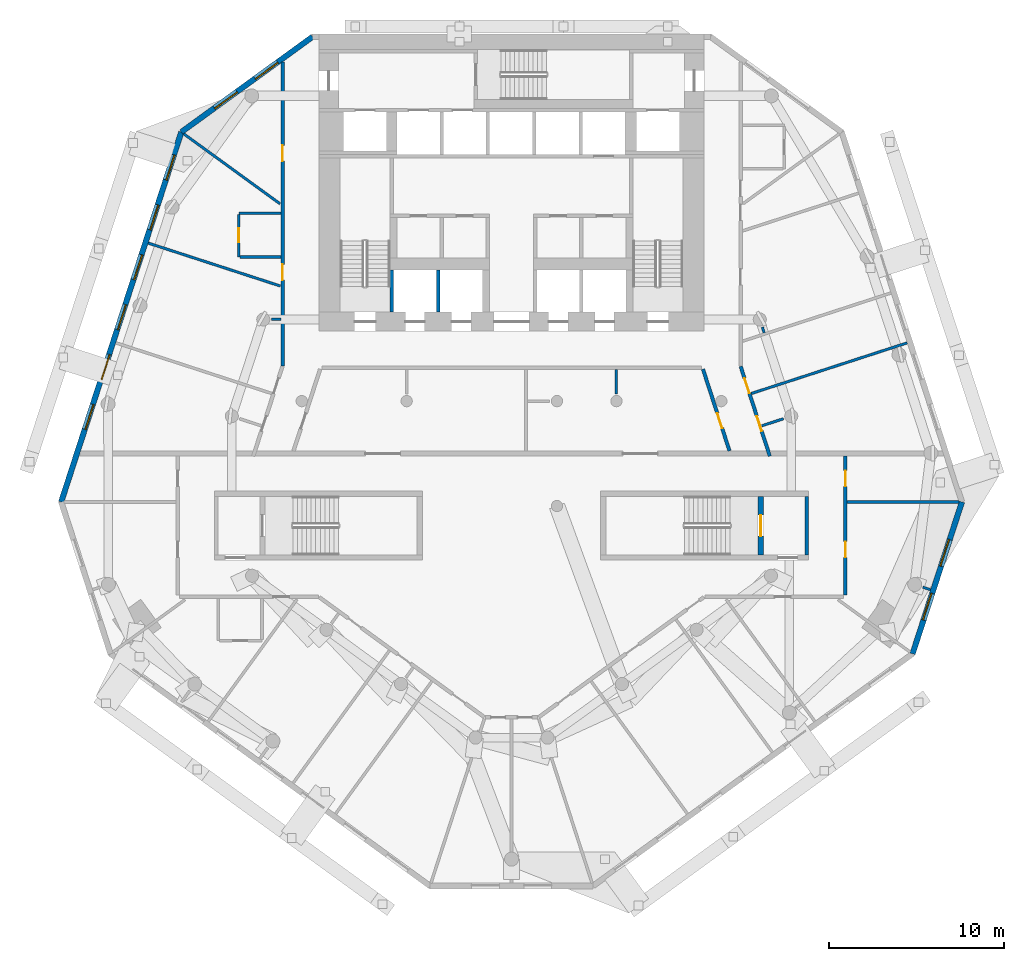
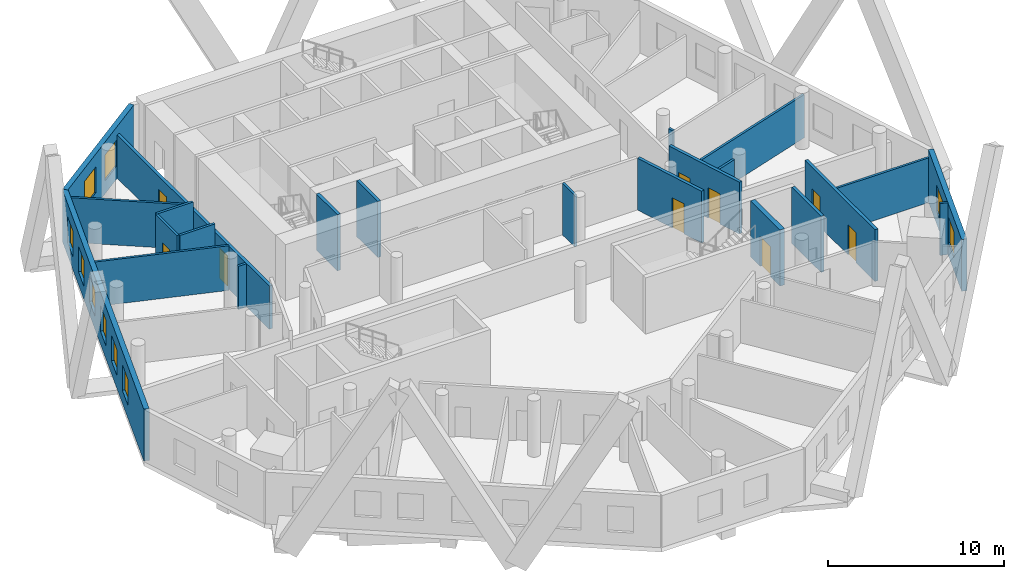
# One storey, part 6 of 11: 23 walls, 10 windows, 9 doors, 19 openings.
"""IFC4 building model written with IfcOpenShell, lengths in metres."""

from ifc_helpers import new_model, si_unit, direction, frame, frame_2d, origin, place, context, subcontext, project, spatial, rectangle, extrude, material, layer, layer_set, type_object, element, fill, save


model = new_model("IFC4")

# Units and contexts
model_context = context("Model", 3, precision=1e-05, world=origin(), true_north=direction((0.0, 1.0)))
body_context = subcontext(model_context, "Body", "Model", "MODEL_VIEW")
ifc_project = project(units=[si_unit("LENGTHUNIT", "METRE"), si_unit("AREAUNIT", "SQUARE_METRE"), si_unit("VOLUMEUNIT", "CUBIC_METRE"), si_unit("PLANEANGLEUNIT", "RADIAN"), si_unit("MASSUNIT", "GRAM", prefix="KILO")], contexts=[model_context])

# Site, building, storey
site_placement = place(None, origin())
site = spatial("IfcSite", under=ifc_project, at=site_placement, CompositionType="ELEMENT")
building_placement = place(site_placement, origin())
building = spatial("IfcBuilding", under=site, at=building_placement, Name="White Candle Pilgrim Tower", CompositionType="ELEMENT")
storey_placement = place(building_placement, frame((0.0, 0.0, 90.800048828125)))
storey = spatial("IfcBuildingStorey", under=building, at=storey_placement, Name="L19", CompositionType="ELEMENT", Elevation=90.800048828125)

# Wall
ifc_material_1 = material(Name="Concrete C60/75", Category="concrete")
ifc_layer_1 = layer(ifc_material_1, 0.199951171875)
ifc_layer_set_1 = layer_set([ifc_layer_1], Name="Core wall 200 mm Concrete C60/75")
wall_type_1 = type_object("IfcWallType", Name="Core wall 200 mm Concrete C60/75", PredefinedType="SHEAR", material=ifc_layer_set_1)
wall_1_placement = place(storey_placement, frame((86.89990234375, 58.199951171875, 0.0), z_axis=(0.0, 0.0, 1.0), x_axis=(0.0, 1.0, 0.0)))
element("IfcWall", 1, at=wall_1_placement, inside=storey, type_object=wall_type_1, Name="WL-L19-C08", PredefinedType="SHEAR", context=body_context, shape_type="SweptSolid", body=[
    extrude(rectangle(XDim=3.35009765625, YDim=0.199951171875, at=frame_2d((1.675048828125, 0.0))), origin(), (0.0, 0.0, 1.0), 3.89990234375),
])

# Wall, openings, doors
ifc_material_2 = material(Name="Gypsum board on steel studs", Category="steel")
ifc_layer_2 = layer(ifc_material_2, 0.199951171875)
ifc_layer_set_2 = layer_set([ifc_layer_2], Name="Corridor wall 200 mm EI 45")
wall_type_2 = type_object("IfcWallType", Name="Corridor wall 200 mm EI 45", PredefinedType="PARTITIONING", material=ifc_layer_set_2)
wall_2_placement = place(storey_placement, frame((56.89990234375, 69.021728515625, 0.0), z_axis=(0.0, 0.0, 1.0), x_axis=(0.0, 1.0, 0.0)))
wall_2 = element("IfcWall", 2, at=wall_2_placement, inside=storey, type_object=wall_type_2, Name="WL-L19-P003", PredefinedType="PARTITIONING", context=body_context, shape_type="SweptSolid", body=[
    extrude(rectangle(XDim=17.37451171875, YDim=0.199951171875, at=frame_2d((8.687255859375, 0.0))), origin(), (0.0, 0.0, 1.0), 3.0),
])
opening_1_placement = place(wall_2_placement, frame((4.89404296875, 0.0, 0.0)))
opening_1 = element("IfcOpeningElement", 3, at=opening_1_placement, cuts=wall_2, Name="Opening T06-121", PredefinedType="OPENING", context=body_context, shape_type="SweptSolid", body=[
    extrude(rectangle(XDim=0.89990234375, YDim=2.10009765625, at=frame_2d((0.449951171875, 1.050048828125))), frame((0.0, 0.10986328125, 0.0), z_axis=(0.0, -1.0, 0.0), x_axis=(1.0, 0.0, 0.0)), (0.0, 0.0, 1.0), 0.219970703125),
])
opening_2_placement = place(wall_2_placement, frame((11.712158203125, 0.0, 0.0)))
opening_2 = element("IfcOpeningElement", 4, at=opening_2_placement, cuts=wall_2, Name="Opening T06-122", PredefinedType="OPENING", context=body_context, shape_type="SweptSolid", body=[
    extrude(rectangle(XDim=0.89990234375, YDim=2.10009765625, at=frame_2d((0.449951171875, 1.050048828125))), frame((0.0, 0.10986328125, 0.0), z_axis=(0.0, -1.0, 0.0), x_axis=(1.0, 0.0, 0.0)), (0.0, 0.0, 1.0), 0.219970703125),
])
ifc_material_3 = material(Name="Steel door leaf", Category="steel")
door_type_1 = type_object("IfcDoorType", Name="Fire door 900 x 2100 EI 30", OperationType="NOTDEFINED", PredefinedType="DOOR", material=ifc_material_3)
door_1_placement = place(opening_1_placement, origin())
door_1 = element("IfcDoor", 5, at=door_1_placement, inside=storey, type_object=door_type_1, Name="Door T06-121", OperationType="SINGLE_SWING_LEFT", OverallHeight=2.10009765625, OverallWidth=0.89990234375, PredefinedType="DOOR", context=body_context, shape_type="SweptSolid", body=[
    extrude(rectangle(XDim=0.89990234375, YDim=2.10009765625, at=frame_2d((0.449951171875, 1.050048828125))), frame((0.0, 0.02490234375, 0.0), z_axis=(0.0, -1.0, 0.0), x_axis=(1.0, 0.0, 0.0)), (0.0, 0.0, 1.0), 0.050048828125),
])
fill(opening_1, door_1)
door_2_placement = place(opening_2_placement, origin())
door_2 = element("IfcDoor", 6, at=door_2_placement, inside=storey, type_object=door_type_1, Name="Door T06-122", OperationType="SINGLE_SWING_RIGHT", OverallHeight=2.10009765625, OverallWidth=0.89990234375, PredefinedType="DOOR", context=body_context, shape_type="SweptSolid", body=[
    extrude(rectangle(XDim=0.89990234375, YDim=2.10009765625, at=frame_2d((0.449951171875, 1.050048828125))), frame((0.0, 0.02490234375, 0.0), z_axis=(0.0, -1.0, 0.0), x_axis=(1.0, 0.0, 0.0)), (0.0, 0.0, 1.0), 0.050048828125),
])
fill(opening_2, door_2)

wall_3_placement = place(storey_placement, frame((83.10498046875, 68.99072265625, 0.0), z_axis=(0.0, 0.0, 1.0), x_axis=(0.309037048815, -0.951049999979, 0.0)))
wall_3 = element("IfcWall", 7, at=wall_3_placement, inside=storey, type_object=wall_type_2, Name="WL-L19-P005", PredefinedType="PARTITIONING", context=body_context, shape_type="SweptSolid", body=[
    extrude(rectangle(XDim=5.4052734375, YDim=0.199951171875, at=frame_2d((2.70263671875, 0.0))), origin(), (0.0, 0.0, 1.0), 3.599853515625),
])
opening_3_placement = place(wall_3_placement, frame((0.721435546875, 0.0, 0.0)))
opening_3 = element("IfcOpeningElement", 8, at=opening_3_placement, cuts=wall_3, Name="Opening T06-126", PredefinedType="OPENING", context=body_context, shape_type="SweptSolid", body=[
    extrude(rectangle(XDim=0.89990234375, YDim=2.10009765625, at=frame_2d((0.449951171875, 1.050048828125))), frame((0.0, 0.10986328125, 0.0), z_axis=(0.0, -1.0, 0.0), x_axis=(1.0, 0.0, 0.0)), (0.0, 0.0, 1.0), 0.219970703125),
])
opening_4_placement = place(wall_3_placement, frame((2.996826171875, 0.0, 0.0)))
opening_4 = element("IfcOpeningElement", 9, at=opening_4_placement, cuts=wall_3, Name="Opening T06-127", PredefinedType="OPENING", context=body_context, shape_type="SweptSolid", body=[
    extrude(rectangle(XDim=0.89990234375, YDim=2.10009765625, at=frame_2d((0.449951171875, 1.050048828125))), frame((0.0, 0.10986328125, 0.0), z_axis=(0.0, -1.0, 0.0), x_axis=(1.0, 0.0, 0.0)), (0.0, 0.0, 1.0), 0.219970703125),
])
door_3_placement = place(opening_3_placement, frame((0.89990234375, 0.0, 0.0), z_axis=(0.0, 0.0, 1.0), x_axis=(-1.0, 0.0, 0.0)))
door_3 = element("IfcDoor", 10, at=door_3_placement, inside=storey, type_object=door_type_1, Name="Door T06-126", OperationType="SINGLE_SWING_LEFT", OverallHeight=2.10009765625, OverallWidth=0.89990234375, PredefinedType="DOOR", context=body_context, shape_type="SweptSolid", body=[
    extrude(rectangle(XDim=0.89990234375, YDim=2.10009765625, at=frame_2d((0.449951171875, 1.050048828125))), frame((0.0, 0.02490234375, 0.0), z_axis=(0.0, -1.0, 0.0), x_axis=(1.0, 0.0, 0.0)), (0.0, 0.0, 1.0), 0.050048828125),
])
fill(opening_3, door_3)
door_4_placement = place(opening_4_placement, origin())
door_4 = element("IfcDoor", 11, at=door_4_placement, inside=storey, type_object=door_type_1, Name="Door T06-127", OperationType="SINGLE_SWING_LEFT", OverallHeight=2.10009765625, OverallWidth=0.89990234375, PredefinedType="DOOR", context=body_context, shape_type="SweptSolid", body=[
    extrude(rectangle(XDim=0.89990234375, YDim=2.10009765625, at=frame_2d((0.449951171875, 1.050048828125))), frame((0.0, 0.02490234375, 0.0), z_axis=(0.0, -1.0, 0.0), x_axis=(1.0, 0.0, 0.0)), (0.0, 0.0, 1.0), 0.050048828125),
])
fill(opening_4, door_4)

wall_4_placement = place(storey_placement, frame((89.10009765625, 63.85009765625, 0.0), z_axis=(0.0, 0.0, 1.0), x_axis=(0.0, -1.0, 0.0)))
wall_4 = element("IfcWall", 12, at=wall_4_placement, inside=storey, type_object=wall_type_2, Name="WL-L19-P006", PredefinedType="PARTITIONING", context=body_context, shape_type="SweptSolid", body=[
    extrude(rectangle(XDim=7.9501953125, YDim=0.199951171875, at=frame_2d((3.97509765625, 0.0))), origin(), (0.0, 0.0, 1.0), 3.599853515625),
])
opening_5_placement = place(wall_4_placement, frame((4.884765625, 0.0, 0.0)))
opening_5 = element("IfcOpeningElement", 13, at=opening_5_placement, cuts=wall_4, Name="Opening T06-114", PredefinedType="OPENING", context=body_context, shape_type="SweptSolid", body=[
    extrude(rectangle(XDim=0.89990234375, YDim=2.10009765625, at=frame_2d((0.449951171875, 1.050048828125))), frame((0.0, 0.10986328125, 0.0), z_axis=(0.0, -1.0, 0.0), x_axis=(1.0, 0.0, 0.0)), (0.0, 0.0, 1.0), 0.219970703125),
])
opening_6_placement = place(wall_4_placement, frame((0.822265625, 0.0, 0.0)))
opening_6 = element("IfcOpeningElement", 14, at=opening_6_placement, cuts=wall_4, Name="Opening T06-128", PredefinedType="OPENING", context=body_context, shape_type="SweptSolid", body=[
    extrude(rectangle(XDim=0.89990234375, YDim=2.10009765625, at=frame_2d((0.449951171875, 1.050048828125))), frame((0.0, 0.10986328125, 0.0), z_axis=(0.0, -1.0, 0.0), x_axis=(1.0, 0.0, 0.0)), (0.0, 0.0, 1.0), 0.219970703125),
])
door_5_placement = place(opening_5_placement, origin())
door_5 = element("IfcDoor", 15, at=door_5_placement, inside=storey, type_object=door_type_1, Name="Door T06-114", OperationType="SINGLE_SWING_RIGHT", OverallHeight=2.10009765625, OverallWidth=0.89990234375, PredefinedType="DOOR", context=body_context, shape_type="SweptSolid", body=[
    extrude(rectangle(XDim=0.89990234375, YDim=2.10009765625, at=frame_2d((0.449951171875, 1.050048828125))), frame((0.0, 0.02490234375, 0.0), z_axis=(0.0, -1.0, 0.0), x_axis=(1.0, 0.0, 0.0)), (0.0, 0.0, 1.0), 0.050048828125),
])
fill(opening_5, door_5)
door_6_placement = place(opening_6_placement, origin())
door_6 = element("IfcDoor", 16, at=door_6_placement, inside=storey, type_object=door_type_1, Name="Door T06-128", OperationType="SINGLE_SWING_RIGHT", OverallHeight=2.10009765625, OverallWidth=0.89990234375, PredefinedType="DOOR", context=body_context, shape_type="SweptSolid", body=[
    extrude(rectangle(XDim=0.89990234375, YDim=2.10009765625, at=frame_2d((0.449951171875, 1.050048828125))), frame((0.0, 0.02490234375, 0.0), z_axis=(0.0, -1.0, 0.0), x_axis=(1.0, 0.0, 0.0)), (0.0, 0.0, 1.0), 0.050048828125),
])
fill(opening_6, door_6)

# Wall, opening, door
wall_5_placement = place(storey_placement, frame((82.4697265625, 64.14990234375, 0.0), z_axis=(0.0, 0.0, 1.0), x_axis=(-0.309031112369, 0.951051928965, 0.0)))
wall_5 = element("IfcWall", 17, at=wall_5_placement, inside=storey, type_object=wall_type_2, Name="WL-L19-P015", PredefinedType="PARTITIONING", context=body_context, shape_type="SweptSolid", body=[
    extrude(rectangle(XDim=4.921875, YDim=0.199951171875, at=frame_2d((2.4609375, 0.0))), origin(), (0.0, 0.0, 1.0), 3.599853515625),
])
opening_7_placement = place(wall_5_placement, frame((1.367919921875, 0.0, 0.0)))
opening_7 = element("IfcOpeningElement", 18, at=opening_7_placement, cuts=wall_5, Name="Opening T06-130", PredefinedType="OPENING", context=body_context, shape_type="SweptSolid", body=[
    extrude(rectangle(XDim=0.89990234375, YDim=2.10009765625, at=frame_2d((0.449951171875, 1.050048828125))), frame((0.0, 0.10986328125, 0.0), z_axis=(0.0, -1.0, 0.0), x_axis=(1.0, 0.0, 0.0)), (0.0, 0.0, 1.0), 0.219970703125),
])
door_7_placement = place(opening_7_placement, origin())
door_7 = element("IfcDoor", 19, at=door_7_placement, inside=storey, type_object=door_type_1, Name="Door T06-130", OperationType="SINGLE_SWING_RIGHT", OverallHeight=2.10009765625, OverallWidth=0.89990234375, PredefinedType="DOOR", context=body_context, shape_type="SweptSolid", body=[
    extrude(rectangle(XDim=0.89990234375, YDim=2.10009765625, at=frame_2d((0.449951171875, 1.050048828125))), frame((0.0, 0.02490234375, 0.0), z_axis=(0.0, -1.0, 0.0), x_axis=(1.0, 0.0, 0.0)), (0.0, 0.0, 1.0), 0.050048828125),
])
fill(opening_7, door_7)

# Wall, openings, windows
ifc_material_4 = material(Name="Precast concrete C40/50", Category="concrete")
ifc_layer_3 = layer(ifc_material_4, 0.320068359375)
ifc_layer_set_3 = layer_set([ifc_layer_3], Name="Facade wall EW1 precast concrete C40/50 pier wall with timber-lined reveals")
wall_type_3 = type_object("IfcWallType", Name="Facade wall EW1 precast concrete C40/50 pier wall with timber-lined reveals", PredefinedType="SOLIDWALL", material=ifc_layer_set_3)
wall_6_placement = place(storey_placement, frame((92.939697265625, 52.54345703125, 0.0), z_axis=(0.0, 0.0, 1.0), x_axis=(0.309026240246, 0.95105351208, 0.0)))
wall_6 = element("IfcWall", 20, at=wall_6_placement, inside=storey, type_object=wall_type_3, Name="Facade wall L19 E chamfer", PredefinedType="SOLIDWALL", context=body_context, shape_type="SweptSolid", body=[
    extrude(rectangle(XDim=9.13427734375, YDim=0.320068359375, at=frame_2d((4.567138671875, 0.0))), origin(), (0.0, 0.0, 1.0), 3.599853515625),
])
opening_8_placement = place(wall_6_placement, frame((2.030517578125, 0.0, 0.89990234375)))
opening_8 = element("IfcOpeningElement", 21, at=opening_8_placement, cuts=wall_6, Name="Opening W2", PredefinedType="OPENING", context=body_context, shape_type="SweptSolid", body=[
    extrude(rectangle(XDim=1.60009765625, YDim=1.800048828125, at=frame_2d((0.800048828125, 0.89990234375))), frame((0.0, 0.169921875, 0.0), z_axis=(0.0, -1.0, 0.0), x_axis=(1.0, 0.0, 0.0)), (0.0, 0.0, 1.0), 0.340087890625),
])
opening_9_placement = place(wall_6_placement, frame((5.26708984375, 0.0, 0.89990234375)))
opening_9 = element("IfcOpeningElement", 22, at=opening_9_placement, cuts=wall_6, Name="Opening W2", PredefinedType="OPENING", context=body_context, shape_type="SweptSolid", body=[
    extrude(rectangle(XDim=1.60009765625, YDim=1.800048828125, at=frame_2d((0.800048828125, 0.89990234375))), frame((0.0, 0.169921875, 0.0), z_axis=(0.0, -1.0, 0.0), x_axis=(1.0, 0.0, 0.0)), (0.0, 0.0, 1.0), 0.340087890625),
])
ifc_material_5 = material(Name="Timber frame with triple glazing", Category="wood")
window_type_1 = type_object("IfcWindowType", Name="Window W2 1600x1800 timber frame triple glazing", PartitioningType="SINGLE_PANEL", PredefinedType="WINDOW", material=ifc_material_5)
window_1_placement = place(opening_8_placement, origin())
window_1 = element("IfcWindow", 23, at=window_1_placement, inside=storey, type_object=window_type_1, Name="Window W2 L19 E chamfer 1", OverallHeight=1.800048828125, OverallWidth=1.60009765625, PartitioningType="SINGLE_PANEL", PredefinedType="WINDOW", context=body_context, shape_type="SweptSolid", body=[
    extrude(rectangle(XDim=1.60009765625, YDim=1.800048828125, at=frame_2d((0.800048828125, 0.89990234375))), frame((0.0, 0.070068359375, 0.0), z_axis=(0.0, -1.0, 0.0), x_axis=(1.0, 0.0, 0.0)), (0.0, 0.0, 1.0), 0.06005859375),
])
fill(opening_8, window_1)
window_2_placement = place(opening_9_placement, origin())
window_2 = element("IfcWindow", 24, at=window_2_placement, inside=storey, type_object=window_type_1, Name="Window W2 L19 E chamfer 2", OverallHeight=1.800048828125, OverallWidth=1.60009765625, PartitioningType="SINGLE_PANEL", PredefinedType="WINDOW", context=body_context, shape_type="SweptSolid", body=[
    extrude(rectangle(XDim=1.60009765625, YDim=1.800048828125, at=frame_2d((0.800048828125, 0.89990234375))), frame((0.0, 0.070068359375, 0.0), z_axis=(0.0, -1.0, 0.0), x_axis=(1.0, 0.0, 0.0)), (0.0, 0.0, 1.0), 0.06005859375),
])
fill(opening_9, window_2)

wall_7_placement = place(storey_placement, frame((58.614990234375, 87.840087890625, 0.0), z_axis=(0.0, 0.0, 1.0), x_axis=(-0.809009213142, -0.587795962092, 0.0)))
wall_7 = element("IfcWall", 25, at=wall_7_placement, inside=storey, type_object=wall_type_3, Name="Facade wall L19 NW chamfer", PredefinedType="SOLIDWALL", context=body_context, shape_type="SweptSolid", body=[
    extrude(rectangle(XDim=9.27392578125, YDim=0.320068359375, at=frame_2d((4.636962890625, 0.0))), origin(), (0.0, 0.0, 1.0), 3.599853515625),
])
opening_10_placement = place(wall_7_placement, frame((2.459716796875, 0.0, 0.89990234375)))
opening_10 = element("IfcOpeningElement", 26, at=opening_10_placement, cuts=wall_7, Name="Opening W2", PredefinedType="OPENING", context=body_context, shape_type="SweptSolid", body=[
    extrude(rectangle(XDim=1.60009765625, YDim=1.800048828125, at=frame_2d((0.800048828125, 0.89990234375))), frame((0.0, 0.169921875, 0.0), z_axis=(0.0, -1.0, 0.0), x_axis=(1.0, 0.0, 0.0)), (0.0, 0.0, 1.0), 0.340087890625),
])
opening_11_placement = place(wall_7_placement, frame((5.3369140625, 0.0, 0.89990234375)))
opening_11 = element("IfcOpeningElement", 27, at=opening_11_placement, cuts=wall_7, Name="Opening W2", PredefinedType="OPENING", context=body_context, shape_type="SweptSolid", body=[
    extrude(rectangle(XDim=1.60009765625, YDim=1.800048828125, at=frame_2d((0.800048828125, 0.89990234375))), frame((0.0, 0.169921875, 0.0), z_axis=(0.0, -1.0, 0.0), x_axis=(1.0, 0.0, 0.0)), (0.0, 0.0, 1.0), 0.340087890625),
])
window_3_placement = place(opening_10_placement, origin())
window_3 = element("IfcWindow", 28, at=window_3_placement, inside=storey, type_object=window_type_1, Name="Window W2 L19 NW chamfer 1", OverallHeight=1.800048828125, OverallWidth=1.60009765625, PartitioningType="SINGLE_PANEL", PredefinedType="WINDOW", context=body_context, shape_type="SweptSolid", body=[
    extrude(rectangle(XDim=1.60009765625, YDim=1.800048828125, at=frame_2d((0.800048828125, 0.89990234375))), frame((0.0, 0.070068359375, 0.0), z_axis=(0.0, -1.0, 0.0), x_axis=(1.0, 0.0, 0.0)), (0.0, 0.0, 1.0), 0.06005859375),
])
fill(opening_10, window_3)
window_4_placement = place(opening_11_placement, origin())
window_4 = element("IfcWindow", 29, at=window_4_placement, inside=storey, type_object=window_type_1, Name="Window W2 L19 NW chamfer 2", OverallHeight=1.800048828125, OverallWidth=1.60009765625, PartitioningType="SINGLE_PANEL", PredefinedType="WINDOW", context=body_context, shape_type="SweptSolid", body=[
    extrude(rectangle(XDim=1.60009765625, YDim=1.800048828125, at=frame_2d((0.800048828125, 0.89990234375))), frame((0.0, 0.070068359375, 0.0), z_axis=(0.0, -1.0, 0.0), x_axis=(1.0, 0.0, 0.0)), (0.0, 0.0, 1.0), 0.06005859375),
])
fill(opening_11, window_4)

wall_8_placement = place(storey_placement, frame((51.1123046875, 82.388916015625, 0.0), z_axis=(0.0, 0.0, 1.0), x_axis=(-0.309018577053, -0.95105600205, 0.0)))
wall_8 = element("IfcWall", 30, at=wall_8_placement, inside=storey, type_object=wall_type_3, Name="Facade wall L19 WNW", PredefinedType="SOLIDWALL", context=body_context, shape_type="SweptSolid", body=[
    extrude(rectangle(XDim=22.2470703125, YDim=0.320068359375, at=frame_2d((11.12353515625, 0.0))), origin(), (0.0, 0.0, 1.0), 3.599853515625),
])
opening_12_placement = place(wall_8_placement, frame((1.37353515625, 0.0, 0.89990234375)))
opening_12 = element("IfcOpeningElement", 31, at=opening_12_placement, cuts=wall_8, Name="Opening W1", PredefinedType="OPENING", context=body_context, shape_type="SweptSolid", body=[
    extrude(rectangle(XDim=1.5, YDim=1.800048828125, at=frame_2d((0.75, 0.89990234375))), frame((0.0, 0.169921875, 0.0), z_axis=(0.0, -1.0, 0.0), x_axis=(1.0, 0.0, 0.0)), (0.0, 0.0, 1.0), 0.340087890625),
])
opening_13_placement = place(wall_8_placement, frame((4.37353515625, 0.0, 0.89990234375)))
opening_13 = element("IfcOpeningElement", 32, at=opening_13_placement, cuts=wall_8, Name="Opening W1", PredefinedType="OPENING", context=body_context, shape_type="SweptSolid", body=[
    extrude(rectangle(XDim=1.5, YDim=1.800048828125, at=frame_2d((0.75, 0.89990234375))), frame((0.0, 0.169921875, 0.0), z_axis=(0.0, -1.0, 0.0), x_axis=(1.0, 0.0, 0.0)), (0.0, 0.0, 1.0), 0.340087890625),
])
opening_14_placement = place(wall_8_placement, frame((7.37353515625, 0.0, 0.89990234375)))
opening_14 = element("IfcOpeningElement", 33, at=opening_14_placement, cuts=wall_8, Name="Opening W1", PredefinedType="OPENING", context=body_context, shape_type="SweptSolid", body=[
    extrude(rectangle(XDim=1.5, YDim=1.800048828125, at=frame_2d((0.75, 0.89990234375))), frame((0.0, 0.169921875, 0.0), z_axis=(0.0, -1.0, 0.0), x_axis=(1.0, 0.0, 0.0)), (0.0, 0.0, 1.0), 0.340087890625),
])
opening_15_placement = place(wall_8_placement, frame((10.37353515625, 0.0, 0.89990234375)))
opening_15 = element("IfcOpeningElement", 34, at=opening_15_placement, cuts=wall_8, Name="Opening W1", PredefinedType="OPENING", context=body_context, shape_type="SweptSolid", body=[
    extrude(rectangle(XDim=1.5, YDim=1.800048828125, at=frame_2d((0.75, 0.89990234375))), frame((0.0, 0.169921875, 0.0), z_axis=(0.0, -1.0, 0.0), x_axis=(1.0, 0.0, 0.0)), (0.0, 0.0, 1.0), 0.340087890625),
])
opening_16_placement = place(wall_8_placement, frame((13.37353515625, 0.0, 0.89990234375)))
opening_16 = element("IfcOpeningElement", 35, at=opening_16_placement, cuts=wall_8, Name="Opening W1", PredefinedType="OPENING", context=body_context, shape_type="SweptSolid", body=[
    extrude(rectangle(XDim=1.5, YDim=1.800048828125, at=frame_2d((0.75, 0.89990234375))), frame((0.0, 0.169921875, 0.0), z_axis=(0.0, -1.0, 0.0), x_axis=(1.0, 0.0, 0.0)), (0.0, 0.0, 1.0), 0.340087890625),
])
opening_17_placement = place(wall_8_placement, frame((16.37353515625, 0.0, 0.89990234375)))
opening_17 = element("IfcOpeningElement", 36, at=opening_17_placement, cuts=wall_8, Name="Opening W1", PredefinedType="OPENING", context=body_context, shape_type="SweptSolid", body=[
    extrude(rectangle(XDim=1.5, YDim=1.800048828125, at=frame_2d((0.75, 0.89990234375))), frame((0.0, 0.169921875, 0.0), z_axis=(0.0, -1.0, 0.0), x_axis=(1.0, 0.0, 0.0)), (0.0, 0.0, 1.0), 0.340087890625),
])
window_type_2 = type_object("IfcWindowType", Name="Window W1 1500x1800 timber frame triple glazing", PartitioningType="SINGLE_PANEL", PredefinedType="WINDOW", material=ifc_material_5)
window_5_placement = place(opening_12_placement, origin())
window_5 = element("IfcWindow", 37, at=window_5_placement, inside=storey, type_object=window_type_2, Name="Window W1 L19 WNW 1", OverallHeight=1.800048828125, OverallWidth=1.5, PartitioningType="SINGLE_PANEL", PredefinedType="WINDOW", context=body_context, shape_type="SweptSolid", body=[
    extrude(rectangle(XDim=1.5, YDim=1.800048828125, at=frame_2d((0.75, 0.89990234375))), frame((0.0, 0.070068359375, 0.0), z_axis=(0.0, -1.0, 0.0), x_axis=(1.0, 0.0, 0.0)), (0.0, 0.0, 1.0), 0.06005859375),
])
fill(opening_12, window_5)
window_6_placement = place(opening_13_placement, origin())
window_6 = element("IfcWindow", 38, at=window_6_placement, inside=storey, type_object=window_type_2, Name="Window W1 L19 WNW 2", OverallHeight=1.800048828125, OverallWidth=1.5, PartitioningType="SINGLE_PANEL", PredefinedType="WINDOW", context=body_context, shape_type="SweptSolid", body=[
    extrude(rectangle(XDim=1.5, YDim=1.800048828125, at=frame_2d((0.75, 0.89990234375))), frame((0.0, 0.070068359375, 0.0), z_axis=(0.0, -1.0, 0.0), x_axis=(1.0, 0.0, 0.0)), (0.0, 0.0, 1.0), 0.06005859375),
])
fill(opening_13, window_6)
window_7_placement = place(opening_14_placement, origin())
window_7 = element("IfcWindow", 39, at=window_7_placement, inside=storey, type_object=window_type_2, Name="Window W1 L19 WNW 3", OverallHeight=1.800048828125, OverallWidth=1.5, PartitioningType="SINGLE_PANEL", PredefinedType="WINDOW", context=body_context, shape_type="SweptSolid", body=[
    extrude(rectangle(XDim=1.5, YDim=1.800048828125, at=frame_2d((0.75, 0.89990234375))), frame((0.0, 0.070068359375, 0.0), z_axis=(0.0, -1.0, 0.0), x_axis=(1.0, 0.0, 0.0)), (0.0, 0.0, 1.0), 0.06005859375),
])
fill(opening_14, window_7)
window_8_placement = place(opening_15_placement, origin())
window_8 = element("IfcWindow", 40, at=window_8_placement, inside=storey, type_object=window_type_2, Name="Window W1 L19 WNW 4", OverallHeight=1.800048828125, OverallWidth=1.5, PartitioningType="SINGLE_PANEL", PredefinedType="WINDOW", context=body_context, shape_type="SweptSolid", body=[
    extrude(rectangle(XDim=1.5, YDim=1.800048828125, at=frame_2d((0.75, 0.89990234375))), frame((0.0, 0.070068359375, 0.0), z_axis=(0.0, -1.0, 0.0), x_axis=(1.0, 0.0, 0.0)), (0.0, 0.0, 1.0), 0.06005859375),
])
fill(opening_15, window_8)
window_9_placement = place(opening_16_placement, origin())
window_9 = element("IfcWindow", 41, at=window_9_placement, inside=storey, type_object=window_type_2, Name="Window W1 L19 WNW 5", OverallHeight=1.800048828125, OverallWidth=1.5, PartitioningType="SINGLE_PANEL", PredefinedType="WINDOW", context=body_context, shape_type="SweptSolid", body=[
    extrude(rectangle(XDim=1.5, YDim=1.800048828125, at=frame_2d((0.75, 0.89990234375))), frame((0.0, 0.070068359375, 0.0), z_axis=(0.0, -1.0, 0.0), x_axis=(1.0, 0.0, 0.0)), (0.0, 0.0, 1.0), 0.06005859375),
])
fill(opening_16, window_9)
window_10_placement = place(opening_17_placement, origin())
window_10 = element("IfcWindow", 42, at=window_10_placement, inside=storey, type_object=window_type_2, Name="Window W1 L19 WNW 6", OverallHeight=1.800048828125, OverallWidth=1.5, PartitioningType="SINGLE_PANEL", PredefinedType="WINDOW", context=body_context, shape_type="SweptSolid", body=[
    extrude(rectangle(XDim=1.5, YDim=1.800048828125, at=frame_2d((0.75, 0.89990234375))), frame((0.0, 0.070068359375, 0.0), z_axis=(0.0, -1.0, 0.0), x_axis=(1.0, 0.0, 0.0)), (0.0, 0.0, 1.0), 0.06005859375),
])
fill(opening_17, window_10)

# Walls
ifc_layer_4 = layer(ifc_material_2, 0.14990234375)
ifc_layer_set_4 = layer_set([ifc_layer_4], Name="Partition 150 mm EI 60")
wall_type_4 = type_object("IfcWallType", Name="Partition 150 mm EI 60", PredefinedType="PARTITIONING", material=ifc_layer_set_4)
wall_9_placement = place(storey_placement, frame((51.248291015625, 82.2900390625, 0.0), z_axis=(0.0, 0.0, 1.0), x_axis=(0.809035290939, -0.587760068408, 0.0)))
element("IfcWall", 43, at=wall_9_placement, inside=storey, type_object=wall_type_4, Name="WL-L19-P016", PredefinedType="PARTITIONING", context=body_context, shape_type="SweptSolid", body=[
    extrude(rectangle(XDim=6.8076171875, YDim=0.14990234375, at=frame_2d((3.40380859375, 0.0))), origin(), (0.0, 0.0, 1.0), 3.099853515625),
])
wall_10_placement = place(storey_placement, frame((95.59423828125, 61.230712890625, 0.0), z_axis=(0.0, 0.0, 1.0), x_axis=(-1.0, 0.0, 0.0)))
element("IfcWall", 44, at=wall_10_placement, inside=storey, type_object=wall_type_4, Name="WL-L19-P022", PredefinedType="PARTITIONING", context=body_context, shape_type="SweptSolid", body=[
    extrude(rectangle(XDim=6.394287109375, YDim=0.14990234375, at=frame_2d((3.197265625, 0.0))), origin(), (0.0, 0.0, 1.0), 3.099853515625),
])
wall_11_placement = place(storey_placement, frame((49.2177734375, 76.0400390625, 0.0), z_axis=(0.0, 0.0, 1.0), x_axis=(0.951057993494, -0.309012447986, 0.0)))
element("IfcWall", 45, at=wall_11_placement, inside=storey, type_object=wall_type_4, Name="WL-L19-P024", PredefinedType="PARTITIONING", context=body_context, shape_type="SweptSolid", body=[
    extrude(rectangle(XDim=7.947998046875, YDim=0.14990234375, at=frame_2d((3.97412109375, 0.0))), origin(), (0.0, 0.0, 1.0), 3.099853515625),
])
wall_12_placement = place(storey_placement, frame((56.800048828125, 77.743896484375, 0.0), z_axis=(0.0, 0.0, 1.0), x_axis=(-1.0, 0.0, 0.0)))
element("IfcWall", 46, at=wall_12_placement, inside=storey, type_object=wall_type_4, Name="WL-L19-P026", PredefinedType="PARTITIONING", context=body_context, shape_type="SweptSolid", body=[
    extrude(rectangle(XDim=2.400146484375, YDim=0.14990234375, at=frame_2d((1.2001953125, 0.0))), origin(), (0.0, 0.0, 1.0), 3.599853515625),
])

# Wall, opening, door
wall_13_placement = place(storey_placement, frame((54.39990234375, 75.243896484375, 0.0), z_axis=(0.0, 0.0, 1.0), x_axis=(0.0, 1.0, 0.0)))
wall_13 = element("IfcWall", 47, at=wall_13_placement, inside=storey, type_object=wall_type_4, Name="WL-L19-P027", PredefinedType="PARTITIONING", context=body_context, shape_type="SweptSolid", body=[
    extrude(rectangle(XDim=2.425048828125, YDim=0.14990234375, at=frame_2d((1.21240234375, 0.0))), origin(), (0.0, 0.0, 1.0), 3.599853515625),
])
opening_18_placement = place(wall_13_placement, frame((0.85009765625, 0.0, 0.0)))
opening_18 = element("IfcOpeningElement", 48, at=opening_18_placement, cuts=wall_13, Name="Opening T06-101", PredefinedType="OPENING", context=body_context, shape_type="SweptSolid", body=[
    extrude(rectangle(XDim=0.800048828125, YDim=2.10009765625, at=frame_2d((0.39990234375, 1.050048828125))), frame((0.0, 0.0849609375, 0.0), z_axis=(0.0, -1.0, 0.0), x_axis=(1.0, 0.0, 0.0)), (0.0, 0.0, 1.0), 0.169921875),
])
door_type_2 = type_object("IfcDoorType", Name="Fire door 800 x 2100 EI 30", OperationType="NOTDEFINED", PredefinedType="DOOR", material=ifc_material_3)
door_8_placement = place(opening_18_placement, origin())
door_8 = element("IfcDoor", 49, at=door_8_placement, inside=storey, type_object=door_type_2, Name="Door T06-101", OperationType="SINGLE_SWING_LEFT", OverallHeight=2.10009765625, OverallWidth=0.800048828125, PredefinedType="DOOR", context=body_context, shape_type="SweptSolid", body=[
    extrude(rectangle(XDim=0.800048828125, YDim=2.10009765625, at=frame_2d((0.39990234375, 1.050048828125))), frame((0.0, 0.02490234375, 0.0), z_axis=(0.0, -1.0, 0.0), x_axis=(1.0, 0.0, 0.0)), (0.0, 0.0, 1.0), 0.050048828125),
])
fill(opening_18, door_8)

# Walls
wall_14_placement = place(storey_placement, frame((56.800048828125, 75.243896484375, 0.0), z_axis=(0.0, 0.0, 1.0), x_axis=(-1.0, 0.0, 0.0)))
element("IfcWall", 50, at=wall_14_placement, inside=storey, type_object=wall_type_4, Name="WL-L19-P028", PredefinedType="PARTITIONING", context=body_context, shape_type="SweptSolid", body=[
    extrude(rectangle(XDim=2.324951171875, YDim=0.14990234375, at=frame_2d((1.16259765625, 0.0))), origin(), (0.0, 0.0, 1.0), 3.599853515625),
])
wall_15_placement = place(storey_placement, frame((92.636474609375, 70.333740234375, 0.0), z_axis=(0.0, 0.0, 1.0), x_axis=(-0.951060843481, -0.309003676349, 0.0)))
element("IfcWall", 51, at=wall_15_placement, inside=storey, type_object=wall_type_4, Name="WL-L19-P039", PredefinedType="PARTITIONING", context=body_context, shape_type="SweptSolid", body=[
    extrude(rectangle(XDim=9.3798828125, YDim=0.14990234375, at=frame_2d((4.68994140625, 0.0))), origin(), (0.0, 0.0, 1.0), 3.0),
])
wall_16_placement = place(storey_placement, frame((93.52490234375, 56.35498046875, 0.0), z_axis=(0.0, 0.0, 1.0), x_axis=(0.951037957901, -0.309074105406, 0.0)))
element("IfcWall", 52, at=wall_16_placement, inside=storey, type_object=wall_type_4, Name="WL-L19-P050", PredefinedType="PARTITIONING", context=body_context, shape_type="SweptSolid", body=[
    extrude(rectangle(XDim=0.46142578125, YDim=0.14990234375, at=frame_2d((0.230712890625, 0.0))), origin(), (0.0, 0.0, 1.0), 3.599853515625),
])
wall_17_placement = place(storey_placement, frame((85.558837890625, 65.992919921875, 0.0), z_axis=(0.0, 0.0, 1.0), x_axis=(-0.951046418515, -0.309048070419, 0.0)))
element("IfcWall", 53, at=wall_17_placement, inside=storey, type_object=wall_type_4, Name="WL-L19-P054", PredefinedType="PARTITIONING", context=body_context, shape_type="SweptSolid", body=[
    extrude(rectangle(XDim=1.307373046875, YDim=0.14990234375, at=frame_2d((0.65380859375, 0.0))), origin(), (0.0, 0.0, 1.0), 3.599853515625),
])
wall_18_placement = place(storey_placement, frame((84.346923828125, 71.22900390625, 0.0), z_axis=(0.0, 0.0, 1.0), x_axis=(0.309282141787, -0.950970323812, 0.0)))
element("IfcWall", 54, at=wall_18_placement, inside=storey, type_object=wall_type_4, Name="WL-L19-P055", PredefinedType="PARTITIONING", context=body_context, shape_type="SweptSolid", body=[
    extrude(rectangle(XDim=0.337890625, YDim=0.14990234375, at=frame_2d((0.1689453125, 0.0))), origin(), (0.0, 0.0, 1.0), 3.0),
])
wall_19_placement = place(storey_placement, frame((56.264892578125, 71.67236328125, 0.0), z_axis=(0.0, 0.0, 1.0), x_axis=(1.0, 0.0, 0.0)))
element("IfcWall", 55, at=wall_19_placement, inside=storey, type_object=wall_type_4, Name="WL-L19-P056", PredefinedType="PARTITIONING", context=body_context, shape_type="SweptSolid", body=[
    extrude(rectangle(XDim=0.53515625, YDim=0.14990234375, at=frame_2d((0.267578125, 0.0))), origin(), (0.0, 0.0, 1.0), 3.0),
])
wall_20_placement = place(storey_placement, frame((75.997802734375, 67.4150390625, 0.0), z_axis=(0.0, 0.0, 1.0), x_axis=(0.0, 1.0, 0.0)))
element("IfcWall", 56, at=wall_20_placement, inside=storey, type_object=wall_type_4, Name="WL-L19-P060", PredefinedType="PARTITIONING", context=body_context, shape_type="SweptSolid", body=[
    extrude(rectangle(XDim=1.385009765625, YDim=0.14990234375, at=frame_2d((0.6923828125, 0.0))), origin(), (0.0, 0.0, 1.0), 3.599853515625),
])
ifc_layer_5 = layer(ifc_material_1, 0.199951171875)
ifc_layer_set_5 = layer_set([ifc_layer_5], Name="Shaft wall 200 mm Concrete C60/75")
wall_type_5 = type_object("IfcWallType", Name="Shaft wall 200 mm Concrete C60/75", PredefinedType="SHEAR", material=ifc_layer_set_5)
wall_21_placement = place(storey_placement, frame((65.800048828125, 72.10009765625, 0.0), z_axis=(0.0, 0.0, 1.0), x_axis=(0.0, 1.0, 0.0)))
element("IfcWall", 57, at=wall_21_placement, inside=storey, type_object=wall_type_5, Name="WL-L19-C14", PredefinedType="SHEAR", context=body_context, shape_type="SweptSolid", body=[
    extrude(rectangle(XDim=2.39990234375, YDim=0.199951171875, at=frame_2d((1.199951171875, 0.0))), origin(), (0.0, 0.0, 1.0), 3.89990234375),
])
ifc_layer_6 = layer(ifc_material_1, 0.199951171875)
ifc_layer_set_6 = layer_set([ifc_layer_6], Name="Stair shaft wall 200 mm Concrete C60/75")
wall_type_6 = type_object("IfcWallType", Name="Stair shaft wall 200 mm Concrete C60/75", PredefinedType="SHEAR", material=ifc_layer_set_6)
wall_22_placement = place(storey_placement, frame((63.14990234375, 72.10009765625, 0.0), z_axis=(0.0, 0.0, 1.0), x_axis=(0.0, 1.0, 0.0)))
element("IfcWall", 58, at=wall_22_placement, inside=storey, type_object=wall_type_6, Name="WL-L19-C13", PredefinedType="SHEAR", context=body_context, shape_type="SweptSolid", body=[
    extrude(rectangle(XDim=2.39990234375, YDim=0.199951171875, at=frame_2d((1.199951171875, 0.0))), origin(), (0.0, 0.0, 1.0), 3.89990234375),
])

# Wall, opening, door
ifc_layer_7 = layer(ifc_material_1, 0.300048828125)
ifc_layer_set_7 = layer_set([ifc_layer_7], Name="Stair shaft wall 300 mm Concrete C60/75")
wall_type_7 = type_object("IfcWallType", Name="Stair shaft wall 300 mm Concrete C60/75", PredefinedType="SHEAR", material=ifc_layer_set_7)
wall_23_placement = place(storey_placement, frame((84.25, 58.199951171875, 0.0), z_axis=(0.0, 0.0, 1.0), x_axis=(0.0, 1.0, 0.0)))
wall_23 = element("IfcWall", 59, at=wall_23_placement, inside=storey, type_object=wall_type_7, Name="WL-L19-C07", PredefinedType="SHEAR", context=body_context, shape_type="SweptSolid", body=[
    extrude(rectangle(XDim=3.35009765625, YDim=0.300048828125, at=frame_2d((1.675048828125, 0.0))), origin(), (0.0, 0.0, 1.0), 3.89990234375),
])
opening_19_placement = place(wall_23_placement, frame((1.074951171875, 0.0, 0.0)))
opening_19 = element("IfcOpeningElement", 60, at=opening_19_placement, cuts=wall_23, Name="Opening T06-010", PredefinedType="OPENING", context=body_context, shape_type="SweptSolid", body=[
    extrude(rectangle(XDim=1.199951171875, YDim=2.10009765625, at=frame_2d((0.60009765625, 1.050048828125))), frame((0.0, 0.159912109375, 0.0), z_axis=(0.0, -1.0, 0.0), x_axis=(1.0, 0.0, 0.0)), (0.0, 0.0, 1.0), 0.320068359375),
])
door_type_3 = type_object("IfcDoorType", Name="Fire door 1200 x 2100 EI 60", OperationType="NOTDEFINED", PredefinedType="DOOR", material=ifc_material_3)
door_9_placement = place(opening_19_placement, origin())
door_9 = element("IfcDoor", 61, at=door_9_placement, inside=storey, type_object=door_type_3, Name="Door T06-010", OperationType="SINGLE_SWING_RIGHT", OverallHeight=2.10009765625, OverallWidth=1.199951171875, PredefinedType="DOOR", context=body_context, shape_type="SweptSolid", body=[
    extrude(rectangle(XDim=1.199951171875, YDim=2.10009765625, at=frame_2d((0.60009765625, 1.050048828125))), frame((0.0, 0.02490234375, 0.0), z_axis=(0.0, -1.0, 0.0), x_axis=(1.0, 0.0, 0.0)), (0.0, 0.0, 1.0), 0.050048828125),
])
fill(opening_19, door_9)

save(model, "model.ifc")
